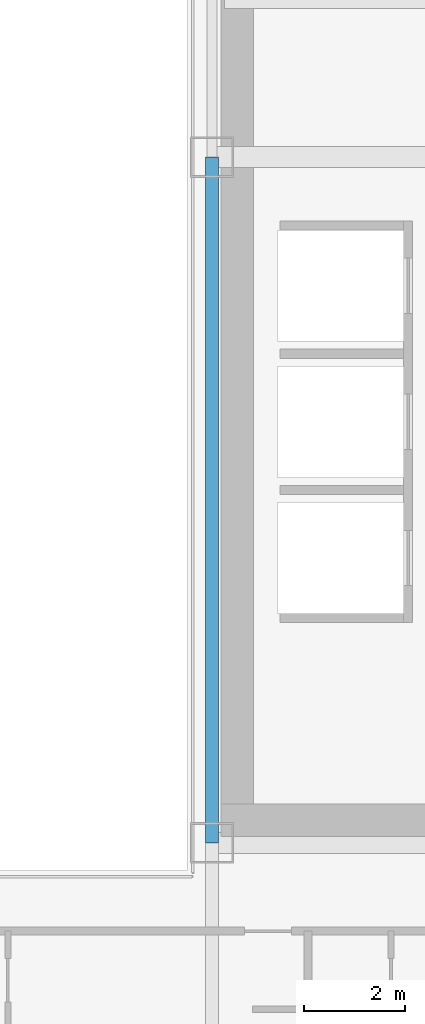
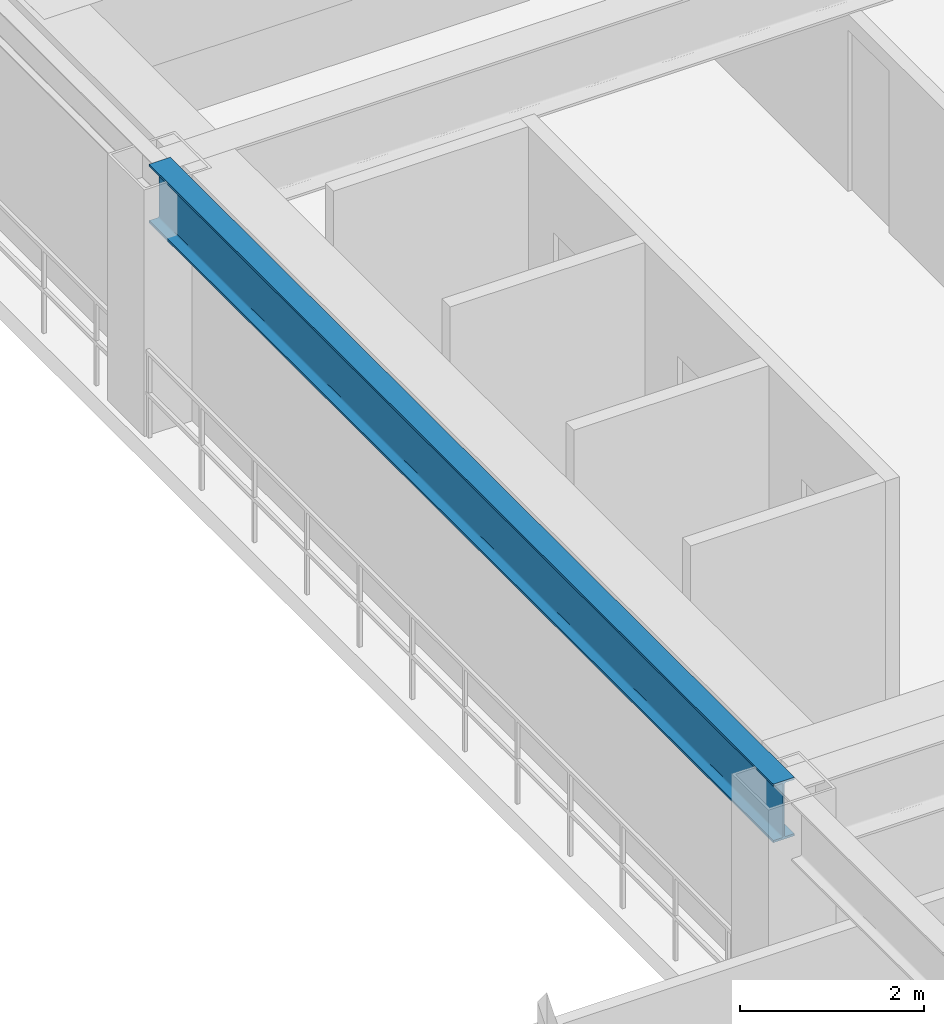
# One storey, part 12 of 36: 1 beam.
"""IFC4 building model written with IfcOpenShell, lengths in metres."""

from ifc_helpers import new_model, si_unit, direction, frame, origin, origin_2d, place, context, subcontext, project, spatial, i_section, extrude, source, transform, mapped, material, material_profile, profile_set, type_object, element, save


model = new_model("IFC4")

# Units and contexts
model_context = context("Model", 3, precision=1e-05, world=origin(), true_north=direction((0.0, 1.0)))
body_context = subcontext(model_context, "Body", "Model", "MODEL_VIEW")
ifc_project = project(units=[si_unit("LENGTHUNIT", "METRE"), si_unit("AREAUNIT", "SQUARE_METRE"), si_unit("VOLUMEUNIT", "CUBIC_METRE"), si_unit("PLANEANGLEUNIT", "RADIAN"), si_unit("MASSUNIT", "GRAM", prefix="KILO")], contexts=[model_context])

# Site, building, storey
site_placement = place(None, origin())
site = spatial("IfcSite", under=ifc_project, at=site_placement, CompositionType="ELEMENT")
building_placement = place(site_placement, origin())
building = spatial("IfcBuilding", under=site, at=building_placement, Name="Ocotamira Hotel", CompositionType="ELEMENT")
storey_placement = place(building_placement, frame((0.0, 0.0, 147.60009765625)))
storey = spatial("IfcBuildingStorey", under=building, at=storey_placement, Name="L37", CompositionType="ELEMENT", Elevation=147.60009765625)

# Beam
ifc_material = material(Name="Steel ASTM A992 Grade 50", Category="steel")
ifc_material_profile = material_profile(ifc_material, i_section(OverallWidth=0.26611328125, OverallDepth=0.779052734375, WebThickness=0.0166015625, FlangeThickness=0.030029296875, FilletRadius=0.01806640625, at=origin_2d()), Name="W30X148")
ifc_profile_set = profile_set([ifc_material_profile], Name="Steel ASTM A992 Grade 50")
beam_type = type_object("IfcBeamType", Name="BM-GIRD-W30X148", PredefinedType="BEAM", material=ifc_profile_set)
shared_shape = source(origin(), body_context, "Body", "SweptSolid", [
    extrude(i_section(OverallWidth=0.26611328125, OverallDepth=0.779052734375, WebThickness=0.0166015625, FlangeThickness=0.030029296875, FilletRadius=0.01806640625, at=origin_2d()), origin(), (0.0, 0.0, 1.0), 13.599853515625),
])
beam_placement = place(storey_placement, frame((40.5, 14.550048828125, 2.890380859375), z_axis=(0.0, 1.0, 0.0), x_axis=(-1.0, 0.0, 0.0)))
element("IfcBeam", 1, at=beam_placement, inside=storey, type_object=beam_type, Name="L37 Beam X40.5 Y14.55-28.15", PredefinedType="BEAM", context=body_context, shape_type="MappedRepresentation", body=[
    mapped(shared_shape, transform((0.0, 0.0, 0.0), scale=1.0)),
])

save(model, "model.ifc")
